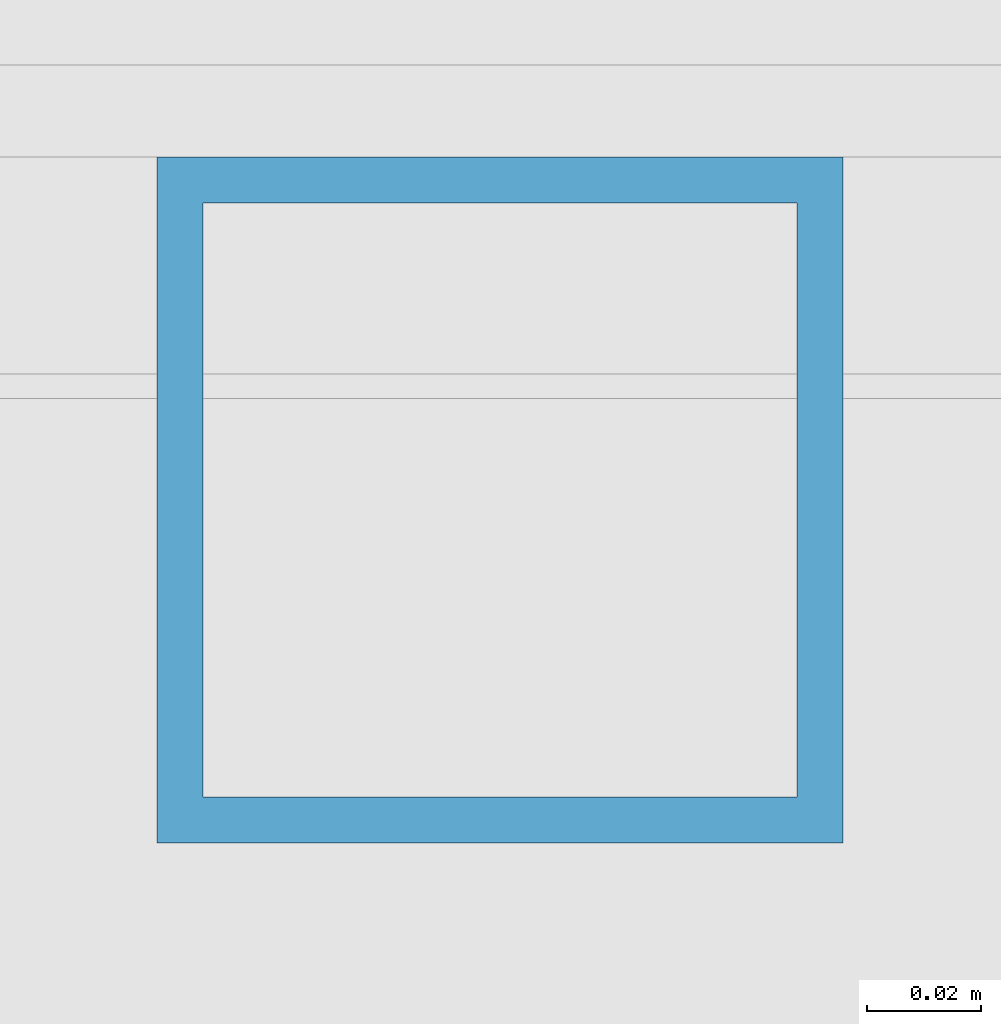
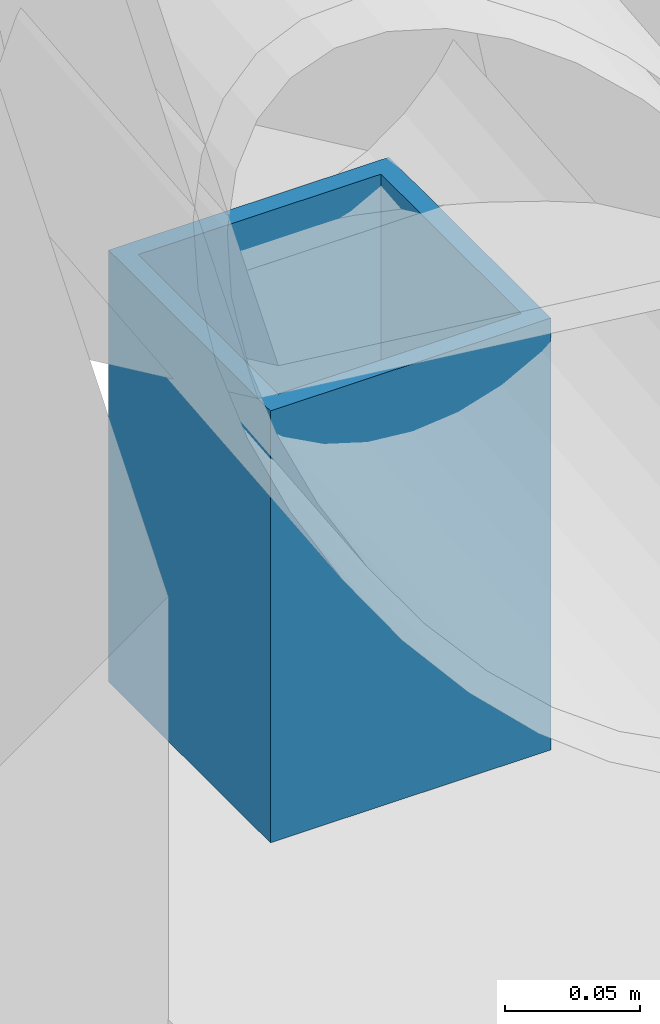
# One storey, part 86 of 154: 1 member.
"""IFC4 building model written with IfcOpenShell, lengths in metres."""

from ifc_helpers import new_model, si_unit, direction, frame, origin, origin_2d, place, context, subcontext, project, spatial, hollow_rectangle, extrude, material, material_profile, profile_set, type_object, element, save


model = new_model("IFC4")

# Units and contexts
model_context = context("Model", 3, precision=1e-05, world=origin(), true_north=direction((0.0, 1.0)))
body_context = subcontext(model_context, "Body", "Model", "MODEL_VIEW")
ifc_project = project(units=[si_unit("LENGTHUNIT", "METRE"), si_unit("AREAUNIT", "SQUARE_METRE"), si_unit("VOLUMEUNIT", "CUBIC_METRE"), si_unit("PLANEANGLEUNIT", "RADIAN"), si_unit("MASSUNIT", "GRAM", prefix="KILO")], contexts=[model_context])

# Site, building, storey
site_placement = place(None, origin())
site = spatial("IfcSite", under=ifc_project, at=site_placement, CompositionType="ELEMENT")
building_placement = place(site_placement, origin())
building = spatial("IfcBuilding", under=site, at=building_placement, Name="Golden Quay Civic Hall", CompositionType="ELEMENT")
storey_placement = place(building_placement, frame((0.0, 0.0, 14.39990234375)))
storey = spatial("IfcBuildingStorey", under=building, at=storey_placement, Name="L03", CompositionType="ELEMENT", Elevation=14.39990234375)

# Member
ifc_material = material(Name="Steel S355", Category="steel")
ifc_material_profile = material_profile(ifc_material, hollow_rectangle(XDim=0.1201171875, YDim=0.1201171875, WallThickness=0.008056640625, at=origin_2d()), Name="SHS 120x120x8")
ifc_profile_set = profile_set([ifc_material_profile], Name="Steel S355")
member_type = type_object("IfcMemberType", Name="Steel truss post SHS 120x120x8", PredefinedType="USERDEFINED", material=ifc_profile_set)
member_placement = place(storey_placement, frame((162.0, 98.93994140625, 0.050048828125), z_axis=(0.0, 0.0, 1.0), x_axis=(1.0, 0.0, 0.0)))
element("IfcMember", 1, at=member_placement, inside=storey, type_object=member_type, Name="Truss 162 post 9 L03", ObjectType="TRUSS POST", PredefinedType="USERDEFINED", context=body_context, shape_type="SweptSolid", body=[
    extrude(hollow_rectangle(XDim=0.1201171875, YDim=0.1201171875, WallThickness=0.008056640625, at=origin_2d()), origin(), (0.0, 0.0, 1.0), 0.195556640625),
])

save(model, "model.ifc")
